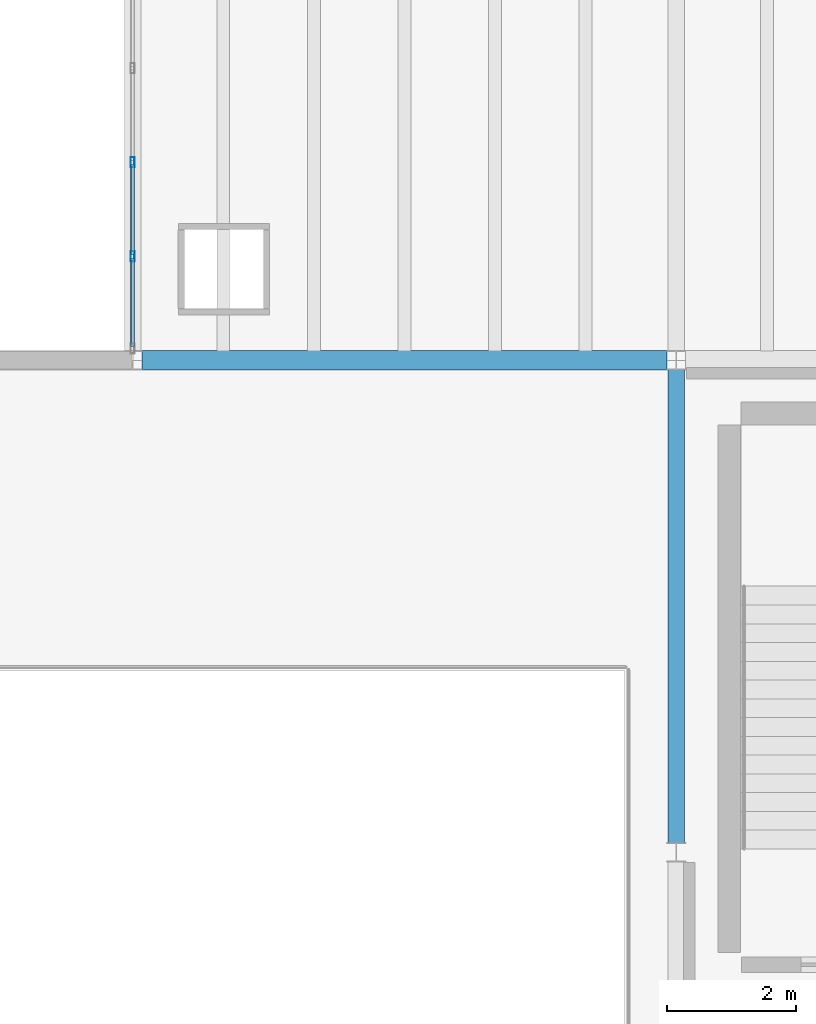
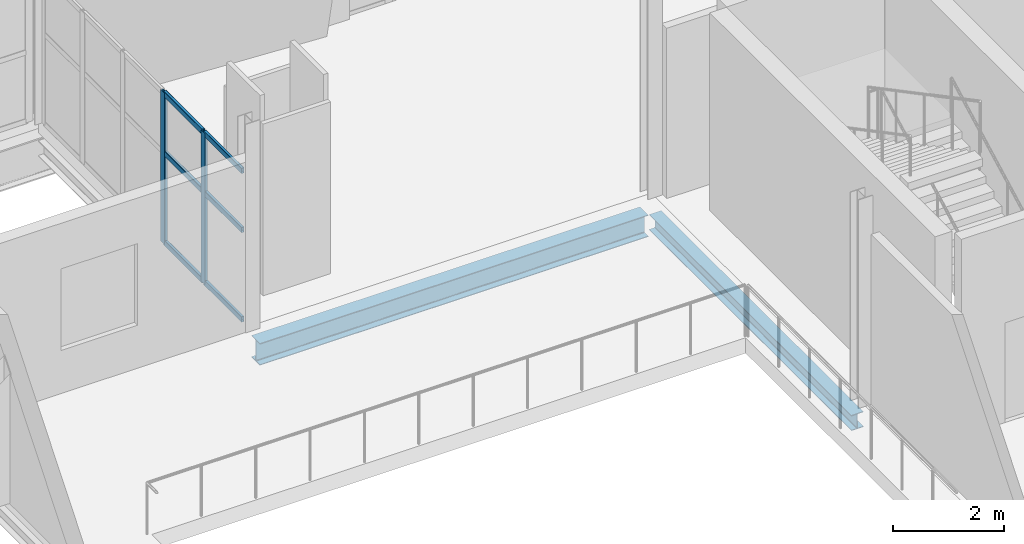
# One storey, part 19 of 172: 8 members, 2 beams, 1 element without a shape of its own.
"""IFC4 building model written with IfcOpenShell, lengths in metres."""

import ifcopenshell
import ifcopenshell.guid

model = None  # the IFC model being written
_history = None  # IfcOwnerHistory: only IFC2X3 demands one
_inside = {}  # id of a spatial element -> (the spatial element, [elements in it])
_under = {}  # id of a project, library or spatial element -> (it, [spatial elements below it])
_declared = {}  # id of a project -> (the project, [libraries it declares])
_typed = {}  # id of a type object -> (the type object, [elements of that type])
_made_of = {}  # id of a material, layer set ... -> (it, [elements and type objects made of it])


def new_model(schema):
    """Start an empty IFC model of exactly this schema.

    Asked for "IFC4X3", IfcOpenShell would pick the latest addendum, in which some entities
    have other attributes; the version numbers below select the first issue.
    IFC2X3 requires an IfcOwnerHistory on every rooted entity: one is made here for all.
    """
    global model, _history
    if schema == "IFC4X3":
        model = ifcopenshell.file(schema_version=(4, 3, 0, 0))
    else:
        model = ifcopenshell.file(schema=schema)
    _inside.clear()
    _under.clear()
    _declared.clear()
    _typed.clear()
    _made_of.clear()
    _history = None
    if model.schema == "IFC2X3":
        org = make("IfcOrganization", Name="unknown")
        user = make(
            "IfcPersonAndOrganization",
            ThePerson=make("IfcPerson", FamilyName="unknown"),
            TheOrganization=org,
        )
        app = make(
            "IfcApplication",
            ApplicationDeveloper=org,
            Version="unknown",
            ApplicationFullName="unknown",
            ApplicationIdentifier="unknown",
        )
        _history = make(
            "IfcOwnerHistory",
            OwningUser=user,
            OwningApplication=app,
            ChangeAction="ADDED",
            CreationDate=0,
        )
    return model


def make(cls, **values):
    """One entity of the class cls with the attributes given. An attribute that is None is left unset."""
    return model.create_entity(
        cls, **{name: value for name, value in values.items() if value is not None}
    )


def rooted(cls, **values):
    """An entity with a GlobalId (a new one), such as an element, a storey or a relation."""
    return make(cls, GlobalId=ifcopenshell.guid.new(), OwnerHistory=_history, **values)


def si_unit(unit_type, name, prefix=None):
    """IfcSIUnit, for example si_unit("LENGTHUNIT", "METRE", prefix="MILLI")."""
    return make("IfcSIUnit", UnitType=unit_type, Prefix=prefix, Name=name)


def assignment(units):
    """IfcUnitAssignment: the units of a project."""
    return None if units is None else make("IfcUnitAssignment", Units=units)


def point(xyz):
    """IfcCartesianPoint."""
    return None if xyz is None else make("IfcCartesianPoint", Coordinates=xyz)


def direction(xyz):
    """IfcDirection."""
    return None if xyz is None else make("IfcDirection", DirectionRatios=xyz)


def frame(location, z_axis=None, x_axis=None):
    """IfcAxis2Placement3D, a coordinate frame: its origin and axes. An axis left out is left unset."""
    return make(
        "IfcAxis2Placement3D",
        Location=point(location),
        Axis=direction(z_axis),
        RefDirection=direction(x_axis),
    )


def frame_2d(location, x_axis=None):
    """IfcAxis2Placement2D, a coordinate frame in the plane: its origin and x axis."""
    return make(
        "IfcAxis2Placement2D", Location=point(location), RefDirection=direction(x_axis)
    )


def origin():
    """The frame at (0, 0, 0) with its axes left unset."""
    return frame((0.0, 0.0, 0.0))


def origin_2d():
    """The frame at (0, 0) in the plane with its x axis left unset."""
    return frame_2d((0.0, 0.0))


def place(relative_to, where):
    """IfcLocalPlacement: puts the frame where relative to a parent placement (None: the world)."""
    return make(
        "IfcLocalPlacement", PlacementRelTo=relative_to, RelativePlacement=where
    )


def context(
    kind, dimensions, precision=None, world=None, true_north=None, identifier=None
):
    """IfcGeometricRepresentationContext, for example the 3D "Model" context."""
    return make(
        "IfcGeometricRepresentationContext",
        ContextIdentifier=identifier,
        ContextType=kind,
        CoordinateSpaceDimension=dimensions,
        Precision=precision,
        WorldCoordinateSystem=world,
        TrueNorth=true_north,
    )


def subcontext(parent, identifier, kind, view, scale=None):
    """IfcGeometricRepresentationSubContext, for example "Body" below "Model"."""
    return make(
        "IfcGeometricRepresentationSubContext",
        ContextIdentifier=identifier,
        ContextType=kind,
        ParentContext=parent,
        TargetScale=scale,
        TargetView=view,
    )


def project(units=None, contexts=None):
    """IfcProject with its units and contexts."""
    return rooted(
        "IfcProject",
        Name="project",
        RepresentationContexts=contexts,
        UnitsInContext=assignment(units),
    )


def spatial(cls, under=None, at=None, **own):
    """A site, building, storey or space (cls), placed at a placement, below another one or the project."""
    s = rooted(cls, ObjectPlacement=at, **own)
    if under is not None:
        _under.setdefault(under.id(), (under, []))[1].append(s)
    return s


def profile(cls, at=None, kind="AREA", **sizes):
    """A parametric profile (cls). Its sizes go by their IFC names, for example OverallWidth=200.0."""
    return make(cls, ProfileType=kind, Position=at, **sizes)


def hollow_rectangle(**sizes):
    """IfcRectangleHollowProfileDef."""
    return profile("IfcRectangleHollowProfileDef", **sizes)


def i_section(**sizes):
    """IfcIShapeProfileDef."""
    return profile("IfcIShapeProfileDef", **sizes)


def extrude(swept, where, along, depth):
    """IfcExtrudedAreaSolid: the profile swept, set in the frame where, extruded along a direction by depth."""
    return make(
        "IfcExtrudedAreaSolid",
        SweptArea=swept,
        Position=where,
        ExtrudedDirection=direction(along),
        Depth=depth,
    )


def shape(context_of_items, identifier, shape_type, items):
    """IfcShapeRepresentation: the items that make up one representation, for example the "Body"."""
    return make(
        "IfcShapeRepresentation",
        ContextOfItems=context_of_items,
        RepresentationIdentifier=identifier,
        RepresentationType=shape_type,
        Items=items,
    )


def material(Name=None, Category=None):
    """IfcMaterial."""
    return make("IfcMaterial", Name=Name, Category=Category)


def material_profile(
    of_material, cross_section, Name=None, Category=None, Priority=None
):
    """IfcMaterialProfile: a cross section and its material."""
    return make(
        "IfcMaterialProfile",
        Name=Name,
        Material=of_material,
        Profile=cross_section,
        Priority=Priority,
        Category=Category,
    )


def profile_set(profiles, Name=None, composite=None):
    """IfcMaterialProfileSet."""
    return make(
        "IfcMaterialProfileSet",
        Name=Name,
        MaterialProfiles=profiles,
        CompositeProfile=composite,
    )


def made_of(thing, what):
    """Note that an element or type object is made of a material, layer set ...; save() writes the relation."""
    if what is not None:
        _made_of.setdefault(what.id(), (what, []))[1].append(thing)
    return thing


def type_object(cls, material=None, **own):
    """A type object (cls), such as IfcWallType, which elements share."""
    return made_of(rooted(cls, **own), material)


def element(
    cls,
    number,
    at=None,
    inside=None,
    cuts=None,
    type_object=None,
    material=None,
    context=None,
    identifier="Body",
    shape_type=None,
    held_by="IfcProductDefinitionShape",
    body=None,
    shapes=None,
    **own,
):
    """One element of the class cls, such as IfcWall. Its Tag is "e" and its number.

    at: its placement. inside: the storey or other place that contains it. cuts: it is an
    opening in that element (IfcRelVoidsElement). A single representation is given by context,
    identifier, shape_type and body (its items); several are given by shapes. held_by: the class
    of the entity that holds the representations. save() writes the other relations.
    """
    e = rooted(cls, Tag="e%d" % number, ObjectPlacement=at, **own)
    if body is not None:
        shapes = [shape(context, identifier, shape_type, body)]
    if shapes is not None:
        e.Representation = make(held_by, Representations=shapes)
    if inside is not None:
        _inside.setdefault(inside.id(), (inside, []))[1].append(e)
    if cuts is not None:
        rooted(
            "IfcRelVoidsElement", RelatingBuildingElement=cuts, RelatedOpeningElement=e
        )
    if type_object is not None:
        _typed.setdefault(type_object.id(), (type_object, []))[1].append(e)
    return made_of(e, material)


def aggregate(whole, parts):
    """IfcRelAggregates: a whole, such as a stair, and the parts it consists of."""
    return rooted("IfcRelAggregates", RelatingObject=whole, RelatedObjects=parts)


def save(model, path):
    """Write the relations noted so far, then the file.

    IfcRelAggregates (storeys below a building ...), IfcRelContainedInSpatialStructure (elements
    in a storey), IfcRelDefinesByType, IfcRelAssociatesMaterial and IfcRelDeclares: one each for
    every whole, place, type object, material and project.
    """
    for whole, parts in _under.values():
        aggregate(whole, parts)
    for where, things in _inside.values():
        rooted(
            "IfcRelContainedInSpatialStructure",
            RelatedElements=things,
            RelatingStructure=where,
        )
    for kind, things in _typed.values():
        rooted("IfcRelDefinesByType", RelatedObjects=things, RelatingType=kind)
    for what, things in _made_of.values():
        rooted("IfcRelAssociatesMaterial", RelatedObjects=things, RelatingMaterial=what)
    for by, libraries in _declared.values():
        rooted("IfcRelDeclares", RelatingContext=by, RelatedDefinitions=libraries)
    model.write(path)


model = new_model("IFC4")

# Units and contexts
model_context = context("Model", 3, precision=1e-05, world=origin(), true_north=direction((0.0, 1.0)))
body_context = subcontext(model_context, "Body", "Model", "MODEL_VIEW")
ifc_project = project(units=[si_unit("LENGTHUNIT", "METRE"), si_unit("AREAUNIT", "SQUARE_METRE"), si_unit("VOLUMEUNIT", "CUBIC_METRE"), si_unit("PLANEANGLEUNIT", "RADIAN"), si_unit("MASSUNIT", "GRAM", prefix="KILO")], contexts=[model_context])

# Site, building, storey
site_placement = place(None, origin())
site = spatial("IfcSite", under=ifc_project, at=site_placement, CompositionType="ELEMENT")
building_placement = place(site_placement, origin())
building = spatial("IfcBuilding", under=site, at=building_placement, Name="Shengluoqiao Park Theatre", CompositionType="ELEMENT")
storey_placement = place(building_placement, frame((0.0, 0.0, 5.39990234375)))
storey = spatial("IfcBuildingStorey", under=building, at=storey_placement, Name="L01", CompositionType="ELEMENT", Elevation=5.39990234375)

# Curtain wall, members
ifc_material_1 = material(Name="Aluminium 6063-T6", Category="aluminium")
curtain_wall_type = type_object("IfcCurtainWallType", Name="ENV-CW-COURT", PredefinedType="NOTDEFINED", material=ifc_material_1)
curtain_wall_placement = place(storey_placement, origin())
curtain_wall = element("IfcCurtainWall", 1, at=curtain_wall_placement, inside=storey, type_object=curtain_wall_type, Name="L01 Curtain Wall CWX-L01-0159", PredefinedType="NOTDEFINED")
ifc_material_profile_1 = material_profile(ifc_material_1, hollow_rectangle(XDim=0.06005859375, YDim=0.159912109375, WallThickness=0.00390625, InnerFilletRadius=0.00390625, OuterFilletRadius=0.008056640625, at=origin_2d()), Name="ALU MULLION 160x60x4")
ifc_profile_set_1 = profile_set([ifc_material_profile_1], Name="Aluminium 6063-T6")
member_type_1 = type_object("IfcMemberType", Name="ENV-MUL-160", PredefinedType="MULLION", material=ifc_profile_set_1)
member_1_placement = place(storey_placement, frame((19.199951171875, 24.407470703125, 0.0), z_axis=(0.0, 0.0, 1.0), x_axis=(-1.0, 0.0, 0.0)))
member_1 = element("IfcMember", 2, at=member_1_placement, type_object=member_type_1, Name="CW-05 mullion 2", PredefinedType="MULLION", context=body_context, shape_type="SweptSolid", body=[
    extrude(hollow_rectangle(XDim=0.06005859375, YDim=0.159912109375, WallThickness=0.00390625, InnerFilletRadius=0.00390625, OuterFilletRadius=0.008056640625, at=origin_2d()), origin(), (0.0, 0.0, 1.0), 3.338134765625),
])
member_2_placement = place(storey_placement, frame((19.199951171875, 25.86083984375, 0.0), z_axis=(0.0, 0.0, 1.0), x_axis=(-1.0, 0.0, 0.0)))
member_2 = element("IfcMember", 3, at=member_2_placement, type_object=member_type_1, Name="CW-05 mullion 3", PredefinedType="MULLION", context=body_context, shape_type="SweptSolid", body=[
    extrude(hollow_rectangle(XDim=0.06005859375, YDim=0.159912109375, WallThickness=0.00390625, InnerFilletRadius=0.00390625, OuterFilletRadius=0.008056640625, at=origin_2d()), origin(), (0.0, 0.0, 1.0), 3.338134765625),
])
ifc_material_profile_2 = material_profile(ifc_material_1, hollow_rectangle(XDim=0.06005859375, YDim=0.1201171875, WallThickness=0.00390625, InnerFilletRadius=0.00390625, OuterFilletRadius=0.008056640625, at=origin_2d()), Name="ALU TRANSOM 120x60x4")
ifc_profile_set_2 = profile_set([ifc_material_profile_2], Name="Aluminium 6063-T6")
member_type_2 = type_object("IfcMemberType", Name="ENV-TRN-120", PredefinedType="USERDEFINED", material=ifc_profile_set_2)
member_3_placement = place(storey_placement, frame((19.199951171875, 23.013916015625, 0.030029296875), z_axis=(0.0, 1.0, 0.0), x_axis=(-1.0, 0.0, 0.0)))
member_3 = element("IfcMember", 4, at=member_3_placement, type_object=member_type_2, Name="CW-05 transom 1.1", ObjectType="TRANSOM", PredefinedType="USERDEFINED", context=body_context, shape_type="SweptSolid", body=[
    extrude(hollow_rectangle(XDim=0.06005859375, YDim=0.1201171875, WallThickness=0.00390625, InnerFilletRadius=0.00390625, OuterFilletRadius=0.008056640625, at=origin_2d()), origin(), (0.0, 0.0, 1.0), 1.363525390625),
])
member_4_placement = place(storey_placement, frame((19.199951171875, 23.013916015625, 2.003173828125), z_axis=(0.0, 1.0, 0.0), x_axis=(-1.0, 0.0, 0.0)))
member_4 = element("IfcMember", 5, at=member_4_placement, type_object=member_type_2, Name="CW-05 transom 1.2", ObjectType="TRANSOM", PredefinedType="USERDEFINED", context=body_context, shape_type="SweptSolid", body=[
    extrude(hollow_rectangle(XDim=0.06005859375, YDim=0.1201171875, WallThickness=0.00390625, InnerFilletRadius=0.00390625, OuterFilletRadius=0.008056640625, at=origin_2d()), origin(), (0.0, 0.0, 1.0), 1.363525390625),
])
member_5_placement = place(storey_placement, frame((19.199951171875, 23.013916015625, 3.30810546875), z_axis=(0.0, 1.0, 0.0), x_axis=(-1.0, 0.0, 0.0)))
member_5 = element("IfcMember", 6, at=member_5_placement, type_object=member_type_2, Name="CW-05 transom 1.3", ObjectType="TRANSOM", PredefinedType="USERDEFINED", context=body_context, shape_type="SweptSolid", body=[
    extrude(hollow_rectangle(XDim=0.06005859375, YDim=0.1201171875, WallThickness=0.00390625, InnerFilletRadius=0.00390625, OuterFilletRadius=0.008056640625, at=origin_2d()), origin(), (0.0, 0.0, 1.0), 1.363525390625),
])
member_6_placement = place(storey_placement, frame((19.199951171875, 24.4375, 0.030029296875), z_axis=(0.0, 1.0, 0.0), x_axis=(-1.0, 0.0, 0.0)))
member_6 = element("IfcMember", 7, at=member_6_placement, type_object=member_type_2, Name="CW-05 transom 2.1", ObjectType="TRANSOM", PredefinedType="USERDEFINED", context=body_context, shape_type="SweptSolid", body=[
    extrude(hollow_rectangle(XDim=0.06005859375, YDim=0.1201171875, WallThickness=0.00390625, InnerFilletRadius=0.00390625, OuterFilletRadius=0.008056640625, at=origin_2d()), origin(), (0.0, 0.0, 1.0), 1.393310546875),
])
member_7_placement = place(storey_placement, frame((19.199951171875, 24.4375, 2.003173828125), z_axis=(0.0, 1.0, 0.0), x_axis=(-1.0, 0.0, 0.0)))
member_7 = element("IfcMember", 8, at=member_7_placement, type_object=member_type_2, Name="CW-05 transom 2.2", ObjectType="TRANSOM", PredefinedType="USERDEFINED", context=body_context, shape_type="SweptSolid", body=[
    extrude(hollow_rectangle(XDim=0.06005859375, YDim=0.1201171875, WallThickness=0.00390625, InnerFilletRadius=0.00390625, OuterFilletRadius=0.008056640625, at=origin_2d()), origin(), (0.0, 0.0, 1.0), 1.393310546875),
])
member_8_placement = place(storey_placement, frame((19.199951171875, 24.4375, 3.30810546875), z_axis=(0.0, 1.0, 0.0), x_axis=(-1.0, 0.0, 0.0)))
member_8 = element("IfcMember", 9, at=member_8_placement, type_object=member_type_2, Name="CW-05 transom 2.3", ObjectType="TRANSOM", PredefinedType="USERDEFINED", context=body_context, shape_type="SweptSolid", body=[
    extrude(hollow_rectangle(XDim=0.06005859375, YDim=0.1201171875, WallThickness=0.00390625, InnerFilletRadius=0.00390625, OuterFilletRadius=0.008056640625, at=origin_2d()), origin(), (0.0, 0.0, 1.0), 1.393310546875),
])
aggregate(curtain_wall, [member_1, member_2, member_3, member_4, member_5, member_6, member_7, member_8])

# Beams
ifc_material_2 = material(Name="Steel Q355", Category="steel")
ifc_material_profile_3 = material_profile(ifc_material_2, i_section(OverallWidth=0.25, OverallDepth=0.340087890625, WebThickness=0.009033203125, FlangeThickness=0.013916015625, FilletRadius=0.01611328125, at=origin_2d()), Name="HM 340x250x9x14")
ifc_profile_set_3 = profile_set([ifc_material_profile_3], Name="Steel Q355")
beam_type_1 = type_object("IfcBeamType", Name="STR-BM-G-HM340", PredefinedType="BEAM", material=ifc_profile_set_3)
beam_1_placement = place(storey_placement, frame((27.60009765625, 15.343994140625, -0.510009765625), z_axis=(0.0, 1.0, 0.0), x_axis=(-1.0, 0.0, 0.0)))
element("IfcBeam", 10, at=beam_1_placement, inside=storey, type_object=beam_type_1, Name="L01 Transverse Girder 00424", PredefinedType="BEAM", context=body_context, shape_type="SweptSolid", body=[
    extrude(i_section(OverallWidth=0.25, OverallDepth=0.340087890625, WebThickness=0.009033203125, FlangeThickness=0.013916015625, FilletRadius=0.01611328125, at=origin_2d()), origin(), (0.0, 0.0, 1.0), 7.31201171875),
])
ifc_material_profile_4 = material_profile(ifc_material_2, i_section(OverallWidth=0.300048828125, OverallDepth=0.48193359375, WebThickness=0.010986328125, FlangeThickness=0.014892578125, FilletRadius=0.02197265625, at=origin_2d()), Name="HM 482x300x11x15")
ifc_profile_set_4 = profile_set([ifc_material_profile_4], Name="Steel Q355")
beam_type_2 = type_object("IfcBeamType", Name="STR-BM-G-HM482", PredefinedType="BEAM", material=ifc_profile_set_4)
beam_2_placement = place(storey_placement, frame((19.346435546875, 22.800048828125, -0.580810546875), z_axis=(1.0, 0.0, 0.0), x_axis=(0.0, 1.0, 0.0)))
element("IfcBeam", 11, at=beam_2_placement, inside=storey, type_object=beam_type_2, Name="L01 Primary Girder 00418", PredefinedType="BEAM", context=body_context, shape_type="SweptSolid", body=[
    extrude(i_section(OverallWidth=0.300048828125, OverallDepth=0.48193359375, WebThickness=0.010986328125, FlangeThickness=0.014892578125, FilletRadius=0.02197265625, at=origin_2d()), origin(), (0.0, 0.0, 1.0), 8.107177734375),
])

save(model, "model.ifc")
